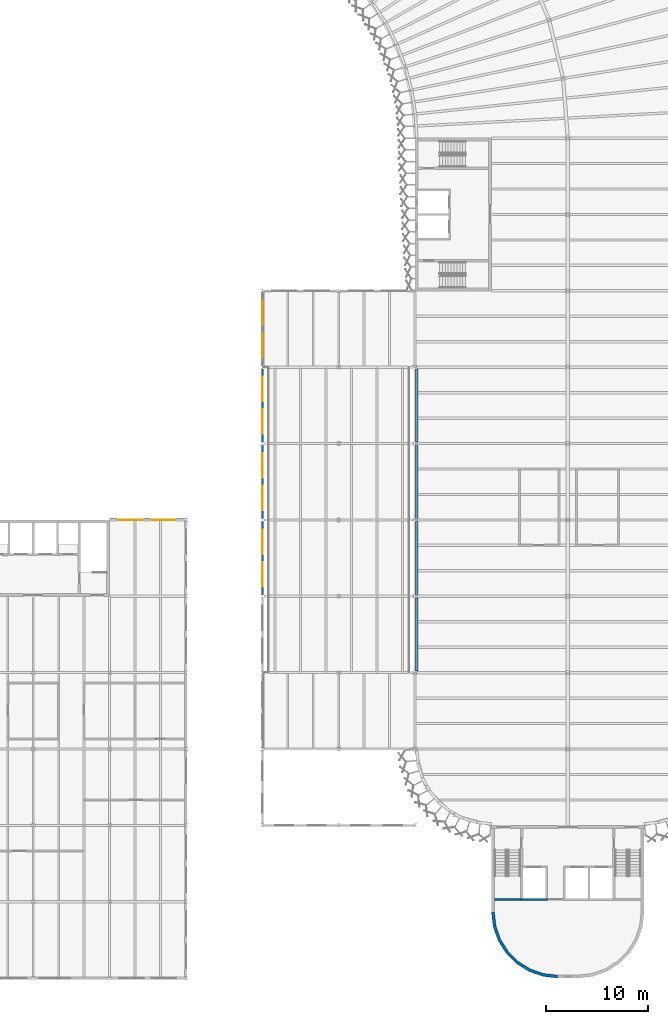
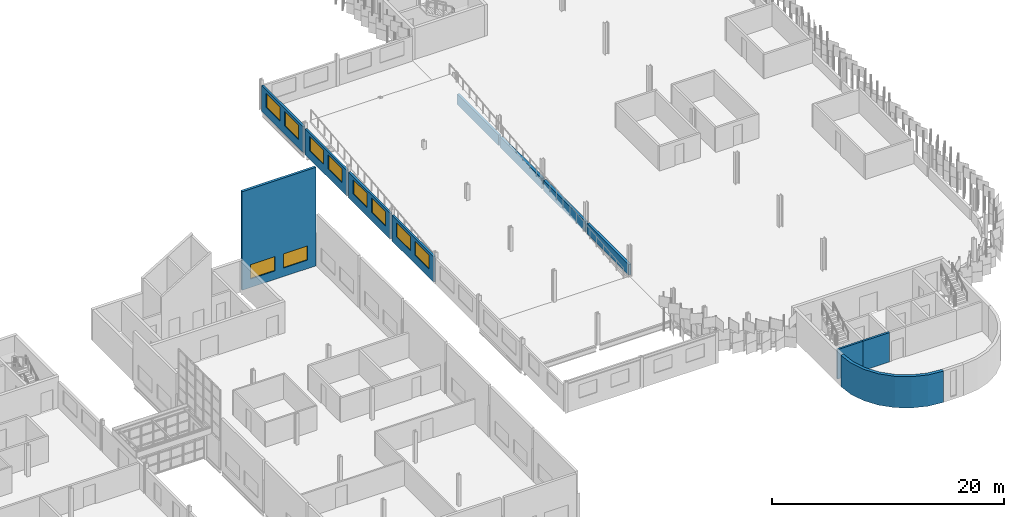
# One storey, part 55 of 198: 12 walls, 10 windows, 10 openings.
"""IFC4 building model written with IfcOpenShell, lengths in metres."""

from ifc_helpers import new_model, si_unit, direction, frame, frame_2d, origin, place, context, subcontext, project, spatial, polyline, rectangle, outline, extrude, material, layer, layer_set, type_object, element, fill, save


model = new_model("IFC4")

# Units and contexts
model_context = context("Model", 3, precision=1e-05, world=origin(), true_north=direction((0.0, 1.0)))
body_context = subcontext(model_context, "Body", "Model", "MODEL_VIEW")
ifc_project = project(units=[si_unit("LENGTHUNIT", "METRE"), si_unit("AREAUNIT", "SQUARE_METRE"), si_unit("VOLUMEUNIT", "CUBIC_METRE"), si_unit("PLANEANGLEUNIT", "RADIAN"), si_unit("MASSUNIT", "GRAM", prefix="KILO")], contexts=[model_context])

# Site, building, storey
site_placement = place(None, origin())
site = spatial("IfcSite", under=ifc_project, at=site_placement, CompositionType="ELEMENT")
building_placement = place(site_placement, origin())
building = spatial("IfcBuilding", under=site, at=building_placement, Name="Parallax Yard Mobility Hub", CompositionType="ELEMENT")
storey_placement = place(building_placement, frame((0.0, 0.0, 6.60009765625)))
storey = spatial("IfcBuildingStorey", under=building, at=storey_placement, Name="L02", CompositionType="ELEMENT", Elevation=6.60009765625)

# Walls
ifc_material_1 = material(Name="Concrete fc' 35 MPa", Category="concrete")
ifc_layer_1 = layer(ifc_material_1, 0.300048828125)
ifc_layer_set_1 = layer_set([ifc_layer_1], Name="Concrete fc' 35 MPa core wall 300")
wall_type_1 = type_object("IfcWallType", Name="Concrete fc' 35 MPa core wall 300", PredefinedType="SHEAR", material=ifc_layer_set_1)
wall_1_placement = place(storey_placement, origin())
element("IfcWall", 1, at=wall_1_placement, inside=storey, type_object=wall_type_1, Name="Core C-S rounded corner east level L02", PredefinedType="SHEAR", context=body_context, shape_type="SweptSolid", body=[
    extrude(outline(polyline([(202.5, 14.0), (202.6630859375, 12.5537109375), (203.143798828125, 11.1796875), (203.918212890625, 9.947265625), (204.947265625, 8.918212890625), (206.1796875, 8.143798828125), (207.5537109375, 7.6630859375), (209.0, 7.5), (209.0, 7.800048828125), (207.620361328125, 7.955322265625), (206.309814453125, 8.4140625), (205.134521484375, 9.152587890625), (204.152587890625, 10.134521484375), (203.4140625, 11.309814453125), (202.955322265625, 12.620361328125), (202.800048828125, 14.0), (202.5, 14.0)])), origin(), (0.0, 0.0, 1.0), 3.2998046875),
])
ifc_layer_2 = layer(ifc_material_1, 0.199951171875)
ifc_layer_set_2 = layer_set([ifc_layer_2], Name="Concrete fc' 35 MPa internal core wall 200")
wall_type_2 = type_object("IfcWallType", Name="Concrete fc' 35 MPa internal core wall 200", PredefinedType="STANDARD", material=ifc_layer_set_2)
wall_2_placement = place(storey_placement, frame((208.0, 15.199951171875, 0.0), z_axis=(0.0, 0.0, 1.0), x_axis=(-1.0, 0.0, 0.0)))
element("IfcWall", 2, at=wall_2_placement, inside=storey, type_object=wall_type_2, Name="Core C-S plant wall 4 part 4 level L02", PredefinedType="STANDARD", context=body_context, shape_type="SweptSolid", body=[
    extrude(rectangle(XDim=2.64990234375, YDim=0.199951171875, at=frame_2d((1.324951171875, 0.0))), origin(), (0.0, 0.0, 1.0), 3.099853515625),
])
wall_3_placement = place(storey_placement, frame((205.35009765625, 15.199951171875, 0.0), z_axis=(0.0, 0.0, 1.0), x_axis=(-1.0, 0.0, 0.0)))
element("IfcWall", 3, at=wall_3_placement, inside=storey, type_object=wall_type_2, Name="Core C-S plant wall 5 part 5 level L02", PredefinedType="STANDARD", context=body_context, shape_type="SweptSolid", body=[
    extrude(rectangle(XDim=2.550048828125, YDim=0.199951171875, at=frame_2d((1.27490234375, 0.0))), origin(), (0.0, 0.0, 1.0), 3.099853515625),
])
ifc_layer_3 = layer(ifc_material_1, 0.25)
ifc_layer_set_3 = layer_set([ifc_layer_3], Name="Deck-edge barrier wall, Concrete fc' 35 MPa precast, 250")
wall_type_3 = type_object("IfcWallType", Name="Deck-edge barrier wall, Concrete fc' 35 MPa precast, 250", PredefinedType="SOLIDWALL", material=ifc_layer_set_3)
wall_4_placement = place(storey_placement, frame((195.172119140625, 67.314453125, 0.0), z_axis=(0.0, 0.0, 1.0), x_axis=(-0.003681082119, -0.999993224794, 0.0)))
element("IfcWall", 4, at=wall_4_placement, inside=storey, type_object=wall_type_3, Name="Deck-edge barrier wall bay 25 level L02", PredefinedType="SOLIDWALL", context=body_context, shape_type="SweptSolid", body=[
    extrude(rectangle(XDim=7.162841796875, YDim=0.25, at=frame_2d((3.58154296875, 0.0))), origin(), (0.0, 0.0, 1.0), 1.099853515625),
])
for number, where, z_axis, x_axis, name in (
    (5, (195.145751953125, 59.848388671875, 0.0), (0.0, 0.0, 1.0), (0.0, -1.0, 0.0), "Deck-edge barrier wall bay 26 level L02"),
    (6, (195.145751953125, 52.348388671875, 0.0), (0.0, 0.0, 1.0), (0.0, -1.0, 0.0), "Deck-edge barrier wall bay 27 level L02"),
    (7, (195.145751953125, 44.848388671875, 0.0), (0.0, 0.0, 1.0), (0.0, -1.0, 0.0), "Deck-edge barrier wall bay 28 level L02"),
):
    element("IfcWall", number, at=place(storey_placement, frame(where, z_axis=z_axis, x_axis=x_axis)), inside=storey, type_object=wall_type_3, Name=name, PredefinedType="SOLIDWALL", context=body_context, shape_type="SweptSolid", body=[
        extrude(rectangle(XDim=7.19677734375, YDim=0.25, at=frame_2d((3.598388671875, 0.0))), origin(), (0.0, 0.0, 1.0), 1.099853515625),
    ])

# Wall, openings, windows
ifc_layer_4 = layer(ifc_material_1, 0.25)
ifc_layer_set_4 = layer_set([ifc_layer_4], Name="Exterior wall, Concrete fc' 35 MPa precast, 250 with insulation lining")
wall_type_4 = type_object("IfcWallType", Name="Exterior wall, Concrete fc' 35 MPa precast, 250 with insulation lining", PredefinedType="SOLIDWALL", material=ifc_layer_set_4)
wall_5_placement = place(storey_placement, frame((165.0, 52.5, 0.0), z_axis=(0.0, 0.0, 1.0), x_axis=(1.0, 0.0, 0.0)))
wall_5 = element("IfcWall", 8, at=wall_5_placement, inside=storey, type_object=wall_type_4, Name="Bicycle and shared-mobility hall north wall bay 1 level L02", PredefinedType="SOLIDWALL", context=body_context, shape_type="SweptSolid", body=[
    extrude(rectangle(XDim=7.346435546875, YDim=0.25, at=frame_2d((3.67333984375, 0.0))), origin(), (0.0, 0.0, 1.0), 10.38330078125),
])
opening_1_placement = place(wall_5_placement, frame((0.848876953125, 0.0, 0.89990234375)))
opening_1 = element("IfcOpeningElement", 9, at=opening_1_placement, cuts=wall_5, Name="Opening W1", PredefinedType="OPENING", context=body_context, shape_type="SweptSolid", body=[
    extrude(rectangle(XDim=2.39990234375, YDim=1.5, at=frame_2d((1.199951171875, 0.75))), frame((0.0, 0.135009765625, 0.0), z_axis=(0.0, -1.0, 0.0), x_axis=(1.0, 0.0, 0.0)), (0.0, 0.0, 1.0), 0.27001953125),
])
opening_2_placement = place(wall_5_placement, frame((4.09765625, 0.0, 0.89990234375)))
opening_2 = element("IfcOpeningElement", 10, at=opening_2_placement, cuts=wall_5, Name="Opening W1", PredefinedType="OPENING", context=body_context, shape_type="SweptSolid", body=[
    extrude(rectangle(XDim=2.39990234375, YDim=1.5, at=frame_2d((1.199951171875, 0.75))), frame((0.0, 0.135009765625, 0.0), z_axis=(0.0, -1.0, 0.0), x_axis=(1.0, 0.0, 0.0)), (0.0, 0.0, 1.0), 0.27001953125),
])
ifc_material_2 = material(Name="Double glazed low-E unit in thermally broken aluminium frame", Category="aluminium")
window_type = type_object("IfcWindowType", Name="Window 2400 x 1500", PartitioningType="DOUBLE_PANEL_VERTICAL", PredefinedType="WINDOW", material=ifc_material_2)
window_1_placement = place(opening_1_placement, origin())
window_1 = element("IfcWindow", 11, at=window_1_placement, inside=storey, type_object=window_type, Name="Window W1 level L02", OverallHeight=1.5, OverallWidth=2.39990234375, PartitioningType="DOUBLE_PANEL_VERTICAL", PredefinedType="WINDOW", context=body_context, shape_type="SweptSolid", body=[
    extrude(rectangle(XDim=2.39990234375, YDim=1.5, at=frame_2d((1.199951171875, 0.75))), frame((0.0, 0.030029296875, 0.0), z_axis=(0.0, -1.0, 0.0), x_axis=(1.0, 0.0, 0.0)), (0.0, 0.0, 1.0), 0.06005859375),
])
fill(opening_1, window_1)
window_2_placement = place(opening_2_placement, origin())
window_2 = element("IfcWindow", 12, at=window_2_placement, inside=storey, type_object=window_type, Name="Window W1 level L02", OverallHeight=1.5, OverallWidth=2.39990234375, PartitioningType="DOUBLE_PANEL_VERTICAL", PredefinedType="WINDOW", context=body_context, shape_type="SweptSolid", body=[
    extrude(rectangle(XDim=2.39990234375, YDim=1.5, at=frame_2d((1.199951171875, 0.75))), frame((0.0, 0.030029296875, 0.0), z_axis=(0.0, -1.0, 0.0), x_axis=(1.0, 0.0, 0.0)), (0.0, 0.0, 1.0), 0.06005859375),
])
fill(opening_2, window_2)

ifc_layer_5 = layer(ifc_material_1, 0.199951171875)
ifc_layer_set_5 = layer_set([ifc_layer_5], Name="Louvre screen wall, Concrete fc' 35 MPa precast, 200")
wall_type_5 = type_object("IfcWallType", Name="Louvre screen wall, Concrete fc' 35 MPa precast, 200", PredefinedType="SOLIDWALL", material=ifc_layer_set_5)
wall_6_placement = place(storey_placement, frame((180.0, 45.153564453125, 0.0), z_axis=(0.0, 0.0, 1.0), x_axis=(0.0, 1.0, 0.0)))
wall_6 = element("IfcWall", 13, at=wall_6_placement, inside=storey, type_object=wall_type_5, Name="Ramp house west wall bay 4 level L02", PredefinedType="SOLIDWALL", context=body_context, shape_type="SweptSolid", body=[
    extrude(rectangle(XDim=7.19287109375, YDim=0.199951171875, at=frame_2d((3.596435546875, 0.0))), origin(), (0.0, 0.0, 1.0), 2.7099609375),
])
opening_3_placement = place(wall_6_placement, frame((0.797607421875, 0.0, 0.89990234375)))
opening_3 = element("IfcOpeningElement", 14, at=opening_3_placement, cuts=wall_6, Name="Opening W1", PredefinedType="OPENING", context=body_context, shape_type="SweptSolid", body=[
    extrude(rectangle(XDim=2.39990234375, YDim=1.5, at=frame_2d((1.199951171875, 0.75))), frame((0.0, 0.10986328125, 0.0), z_axis=(0.0, -1.0, 0.0), x_axis=(1.0, 0.0, 0.0)), (0.0, 0.0, 1.0), 0.219970703125),
])
opening_4_placement = place(wall_6_placement, frame((3.995361328125, 0.0, 0.89990234375)))
opening_4 = element("IfcOpeningElement", 15, at=opening_4_placement, cuts=wall_6, Name="Opening W1", PredefinedType="OPENING", context=body_context, shape_type="SweptSolid", body=[
    extrude(rectangle(XDim=2.39990234375, YDim=1.5, at=frame_2d((1.199951171875, 0.75))), frame((0.0, 0.10986328125, 0.0), z_axis=(0.0, -1.0, 0.0), x_axis=(1.0, 0.0, 0.0)), (0.0, 0.0, 1.0), 0.219970703125),
])
window_3_placement = place(opening_3_placement, origin())
window_3 = element("IfcWindow", 16, at=window_3_placement, inside=storey, type_object=window_type, Name="Window W1 level L02", OverallHeight=1.5, OverallWidth=2.39990234375, PartitioningType="DOUBLE_PANEL_VERTICAL", PredefinedType="WINDOW", context=body_context, shape_type="SweptSolid", body=[
    extrude(rectangle(XDim=2.39990234375, YDim=1.5, at=frame_2d((1.199951171875, 0.75))), frame((0.0, 0.030029296875, 0.0), z_axis=(0.0, -1.0, 0.0), x_axis=(1.0, 0.0, 0.0)), (0.0, 0.0, 1.0), 0.06005859375),
])
fill(opening_3, window_3)
window_4_placement = place(opening_4_placement, origin())
window_4 = element("IfcWindow", 17, at=window_4_placement, inside=storey, type_object=window_type, Name="Window W1 level L02", OverallHeight=1.5, OverallWidth=2.39990234375, PartitioningType="DOUBLE_PANEL_VERTICAL", PredefinedType="WINDOW", context=body_context, shape_type="SweptSolid", body=[
    extrude(rectangle(XDim=2.39990234375, YDim=1.5, at=frame_2d((1.199951171875, 0.75))), frame((0.0, 0.030029296875, 0.0), z_axis=(0.0, -1.0, 0.0), x_axis=(1.0, 0.0, 0.0)), (0.0, 0.0, 1.0), 0.06005859375),
])
fill(opening_4, window_4)

wall_7_placement = place(storey_placement, frame((180.0, 52.653564453125, 0.0), z_axis=(0.0, 0.0, 1.0), x_axis=(0.0, 1.0, 0.0)))
wall_7 = element("IfcWall", 18, at=wall_7_placement, inside=storey, type_object=wall_type_5, Name="Ramp house west wall bay 5 level L02", PredefinedType="SOLIDWALL", context=body_context, shape_type="SweptSolid", body=[
    extrude(rectangle(XDim=7.19287109375, YDim=0.199951171875, at=frame_2d((3.596435546875, 0.0))), origin(), (0.0, 0.0, 1.0), 2.7099609375),
])
opening_5_placement = place(wall_7_placement, frame((0.797607421875, 0.0, 0.89990234375)))
opening_5 = element("IfcOpeningElement", 19, at=opening_5_placement, cuts=wall_7, Name="Opening W1", PredefinedType="OPENING", context=body_context, shape_type="SweptSolid", body=[
    extrude(rectangle(XDim=2.39990234375, YDim=1.5, at=frame_2d((1.199951171875, 0.75))), frame((0.0, 0.10986328125, 0.0), z_axis=(0.0, -1.0, 0.0), x_axis=(1.0, 0.0, 0.0)), (0.0, 0.0, 1.0), 0.219970703125),
])
opening_6_placement = place(wall_7_placement, frame((3.995361328125, 0.0, 0.89990234375)))
opening_6 = element("IfcOpeningElement", 20, at=opening_6_placement, cuts=wall_7, Name="Opening W1", PredefinedType="OPENING", context=body_context, shape_type="SweptSolid", body=[
    extrude(rectangle(XDim=2.39990234375, YDim=1.5, at=frame_2d((1.199951171875, 0.75))), frame((0.0, 0.10986328125, 0.0), z_axis=(0.0, -1.0, 0.0), x_axis=(1.0, 0.0, 0.0)), (0.0, 0.0, 1.0), 0.219970703125),
])
window_5_placement = place(opening_5_placement, origin())
window_5 = element("IfcWindow", 21, at=window_5_placement, inside=storey, type_object=window_type, Name="Window W1 level L02", OverallHeight=1.5, OverallWidth=2.39990234375, PartitioningType="DOUBLE_PANEL_VERTICAL", PredefinedType="WINDOW", context=body_context, shape_type="SweptSolid", body=[
    extrude(rectangle(XDim=2.39990234375, YDim=1.5, at=frame_2d((1.199951171875, 0.75))), frame((0.0, 0.030029296875, 0.0), z_axis=(0.0, -1.0, 0.0), x_axis=(1.0, 0.0, 0.0)), (0.0, 0.0, 1.0), 0.06005859375),
])
fill(opening_5, window_5)
window_6_placement = place(opening_6_placement, origin())
window_6 = element("IfcWindow", 22, at=window_6_placement, inside=storey, type_object=window_type, Name="Window W1 level L02", OverallHeight=1.5, OverallWidth=2.39990234375, PartitioningType="DOUBLE_PANEL_VERTICAL", PredefinedType="WINDOW", context=body_context, shape_type="SweptSolid", body=[
    extrude(rectangle(XDim=2.39990234375, YDim=1.5, at=frame_2d((1.199951171875, 0.75))), frame((0.0, 0.030029296875, 0.0), z_axis=(0.0, -1.0, 0.0), x_axis=(1.0, 0.0, 0.0)), (0.0, 0.0, 1.0), 0.06005859375),
])
fill(opening_6, window_6)

wall_8_placement = place(storey_placement, frame((180.0, 60.153564453125, 0.0), z_axis=(0.0, 0.0, 1.0), x_axis=(0.0, 1.0, 0.0)))
wall_8 = element("IfcWall", 23, at=wall_8_placement, inside=storey, type_object=wall_type_5, Name="Ramp house west wall bay 6 level L02", PredefinedType="SOLIDWALL", context=body_context, shape_type="SweptSolid", body=[
    extrude(rectangle(XDim=7.19287109375, YDim=0.199951171875, at=frame_2d((3.596435546875, 0.0))), origin(), (0.0, 0.0, 1.0), 2.7099609375),
])
opening_7_placement = place(wall_8_placement, frame((0.797607421875, 0.0, 0.89990234375)))
opening_7 = element("IfcOpeningElement", 24, at=opening_7_placement, cuts=wall_8, Name="Opening W1", PredefinedType="OPENING", context=body_context, shape_type="SweptSolid", body=[
    extrude(rectangle(XDim=2.39990234375, YDim=1.5, at=frame_2d((1.199951171875, 0.75))), frame((0.0, 0.10986328125, 0.0), z_axis=(0.0, -1.0, 0.0), x_axis=(1.0, 0.0, 0.0)), (0.0, 0.0, 1.0), 0.219970703125),
])
opening_8_placement = place(wall_8_placement, frame((3.995361328125, 0.0, 0.89990234375)))
opening_8 = element("IfcOpeningElement", 25, at=opening_8_placement, cuts=wall_8, Name="Opening W1", PredefinedType="OPENING", context=body_context, shape_type="SweptSolid", body=[
    extrude(rectangle(XDim=2.39990234375, YDim=1.5, at=frame_2d((1.199951171875, 0.75))), frame((0.0, 0.10986328125, 0.0), z_axis=(0.0, -1.0, 0.0), x_axis=(1.0, 0.0, 0.0)), (0.0, 0.0, 1.0), 0.219970703125),
])
window_7_placement = place(opening_7_placement, origin())
window_7 = element("IfcWindow", 26, at=window_7_placement, inside=storey, type_object=window_type, Name="Window W1 level L02", OverallHeight=1.5, OverallWidth=2.39990234375, PartitioningType="DOUBLE_PANEL_VERTICAL", PredefinedType="WINDOW", context=body_context, shape_type="SweptSolid", body=[
    extrude(rectangle(XDim=2.39990234375, YDim=1.5, at=frame_2d((1.199951171875, 0.75))), frame((0.0, 0.030029296875, 0.0), z_axis=(0.0, -1.0, 0.0), x_axis=(1.0, 0.0, 0.0)), (0.0, 0.0, 1.0), 0.06005859375),
])
fill(opening_7, window_7)
window_8_placement = place(opening_8_placement, origin())
window_8 = element("IfcWindow", 27, at=window_8_placement, inside=storey, type_object=window_type, Name="Window W1 level L02", OverallHeight=1.5, OverallWidth=2.39990234375, PartitioningType="DOUBLE_PANEL_VERTICAL", PredefinedType="WINDOW", context=body_context, shape_type="SweptSolid", body=[
    extrude(rectangle(XDim=2.39990234375, YDim=1.5, at=frame_2d((1.199951171875, 0.75))), frame((0.0, 0.030029296875, 0.0), z_axis=(0.0, -1.0, 0.0), x_axis=(1.0, 0.0, 0.0)), (0.0, 0.0, 1.0), 0.06005859375),
])
fill(opening_8, window_8)

wall_9_placement = place(storey_placement, frame((180.0, 67.653564453125, 0.0), z_axis=(0.0, 0.0, 1.0), x_axis=(0.0, 1.0, 0.0)))
wall_9 = element("IfcWall", 28, at=wall_9_placement, inside=storey, type_object=wall_type_5, Name="Ramp house west wall bay 7 level L02", PredefinedType="SOLIDWALL", context=body_context, shape_type="SweptSolid", body=[
    extrude(rectangle(XDim=7.19287109375, YDim=0.199951171875, at=frame_2d((3.596435546875, 0.0))), origin(), (0.0, 0.0, 1.0), 2.75390625),
])
opening_9_placement = place(wall_9_placement, frame((0.797607421875, 0.0, 0.89990234375)))
opening_9 = element("IfcOpeningElement", 29, at=opening_9_placement, cuts=wall_9, Name="Opening W1", PredefinedType="OPENING", context=body_context, shape_type="SweptSolid", body=[
    extrude(rectangle(XDim=2.39990234375, YDim=1.5, at=frame_2d((1.199951171875, 0.75))), frame((0.0, 0.10986328125, 0.0), z_axis=(0.0, -1.0, 0.0), x_axis=(1.0, 0.0, 0.0)), (0.0, 0.0, 1.0), 0.219970703125),
])
opening_10_placement = place(wall_9_placement, frame((3.995361328125, 0.0, 0.89990234375)))
opening_10 = element("IfcOpeningElement", 30, at=opening_10_placement, cuts=wall_9, Name="Opening W1", PredefinedType="OPENING", context=body_context, shape_type="SweptSolid", body=[
    extrude(rectangle(XDim=2.39990234375, YDim=1.5, at=frame_2d((1.199951171875, 0.75))), frame((0.0, 0.10986328125, 0.0), z_axis=(0.0, -1.0, 0.0), x_axis=(1.0, 0.0, 0.0)), (0.0, 0.0, 1.0), 0.219970703125),
])
window_9_placement = place(opening_9_placement, origin())
window_9 = element("IfcWindow", 31, at=window_9_placement, inside=storey, type_object=window_type, Name="Window W1 level L02", OverallHeight=1.5, OverallWidth=2.39990234375, PartitioningType="DOUBLE_PANEL_VERTICAL", PredefinedType="WINDOW", context=body_context, shape_type="SweptSolid", body=[
    extrude(rectangle(XDim=2.39990234375, YDim=1.5, at=frame_2d((1.199951171875, 0.75))), frame((0.0, 0.030029296875, 0.0), z_axis=(0.0, -1.0, 0.0), x_axis=(1.0, 0.0, 0.0)), (0.0, 0.0, 1.0), 0.06005859375),
])
fill(opening_9, window_9)
window_10_placement = place(opening_10_placement, origin())
window_10 = element("IfcWindow", 32, at=window_10_placement, inside=storey, type_object=window_type, Name="Window W1 level L02", OverallHeight=1.5, OverallWidth=2.39990234375, PartitioningType="DOUBLE_PANEL_VERTICAL", PredefinedType="WINDOW", context=body_context, shape_type="SweptSolid", body=[
    extrude(rectangle(XDim=2.39990234375, YDim=1.5, at=frame_2d((1.199951171875, 0.75))), frame((0.0, 0.030029296875, 0.0), z_axis=(0.0, -1.0, 0.0), x_axis=(1.0, 0.0, 0.0)), (0.0, 0.0, 1.0), 0.06005859375),
])
fill(opening_10, window_10)

save(model, "model.ifc")
